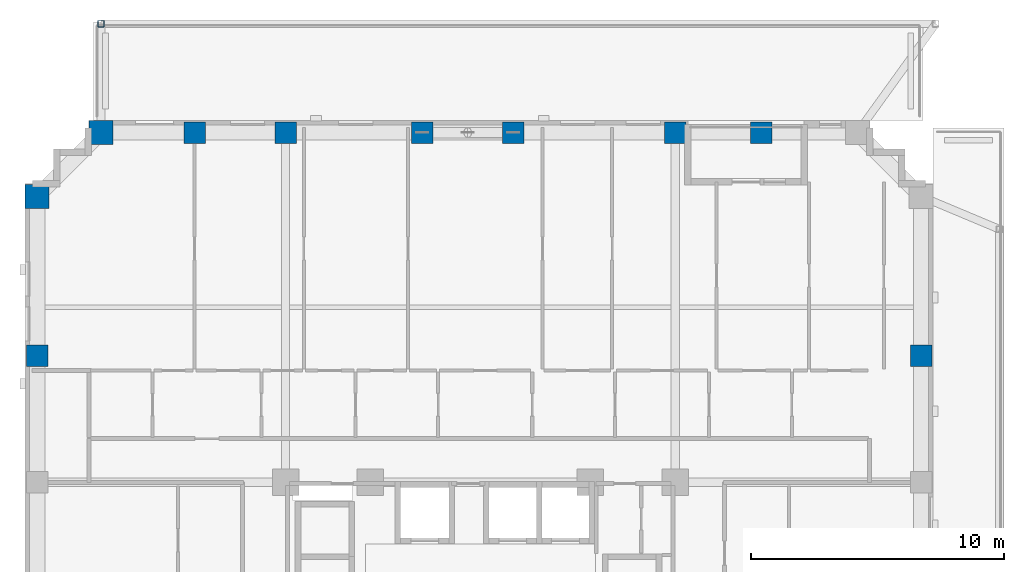
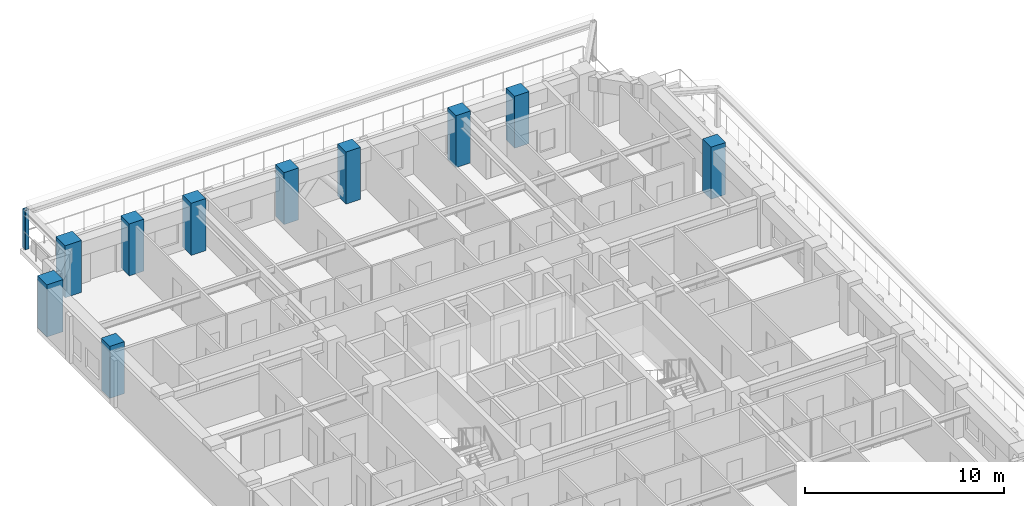
# One storey, part 3 of 16: 11 columns.
"""IFC4 building model written with IfcOpenShell, lengths in metres."""

from ifc_helpers import new_model, si_unit, derived_unit, direction, frame, origin, origin_2d, place, context, subcontext, project, spatial, rectangle, hollow_rectangle, extrude, material, material_profile, profile_set, type_object, element, save


model = new_model("IFC4")

# Units and contexts
model_context = context("Model", 3, precision=1e-05, world=origin(), true_north=direction((0.0, 1.0)))
body_context = subcontext(model_context, "Body", "Model", "MODEL_VIEW")
ifc_project = project(units=[si_unit("LENGTHUNIT", "METRE"), si_unit("AREAUNIT", "SQUARE_METRE"), si_unit("VOLUMEUNIT", "CUBIC_METRE"), si_unit("PLANEANGLEUNIT", "RADIAN"), si_unit("MASSUNIT", "GRAM", prefix="KILO"), derived_unit("THERMALTRANSMITTANCEUNIT", [(si_unit("MASSUNIT", "GRAM", prefix="KILO"), 1), (si_unit("TIMEUNIT", "SECOND"), -3), (si_unit("THERMODYNAMICTEMPERATUREUNIT", "KELVIN"), -1)])], contexts=[model_context])

# Site, building, storey
site_placement = place(None, origin())
site = spatial("IfcSite", under=ifc_project, at=site_placement, CompositionType="ELEMENT")
building_placement = place(site_placement, origin())
building = spatial("IfcBuilding", under=site, at=building_placement, Name="Korrvale Station Residences", CompositionType="ELEMENT")
storey_placement = place(building_placement, frame((0.0, 0.0, 75.10009765625)))
storey = spatial("IfcBuildingStorey", under=building, at=storey_placement, Name="L20", CompositionType="ELEMENT", Elevation=75.10009765625)

# Columns
ifc_material_1 = material(Name="Steel S355", Category="steel")
ifc_material_profile_1 = material_profile(ifc_material_1, hollow_rectangle(XDim=0.25390625, YDim=0.25390625, WallThickness=0.0126953125, InnerFilletRadius=0.0126953125, OuterFilletRadius=0.025390625, at=origin_2d()), Name="HSS254x254x13")
ifc_profile_set_1 = profile_set([ifc_material_profile_1], Name="Steel S355")
column_type_1 = type_object("IfcColumnType", Name="COL-C-HSS254x254x13-S355", PredefinedType="COLUMN", material=ifc_profile_set_1)
column_placement = place(storey_placement, frame((10.5, 47.1201171875, 0.0), z_axis=(0.0, 0.0, 1.0), x_axis=(1.0, 0.0, 0.0)))
element("IfcColumn", 1, at=column_placement, inside=storey, type_object=column_type_1, Name="L20 Setback Canopy Frame Post 1", PredefinedType="COLUMN", context=body_context, shape_type="SweptSolid", body=[
    extrude(hollow_rectangle(XDim=0.25390625, YDim=0.25390625, WallThickness=0.0126953125, InnerFilletRadius=0.0126953125, OuterFilletRadius=0.025390625, at=origin_2d()), origin(), (0.0, 0.0, 1.0), 2.39990234375),
])
ifc_material_2 = material(Name="Concrete C60/75", Category="concrete")
ifc_material_profile_2 = material_profile(ifc_material_2, rectangle(XDim=0.85009765625, YDim=0.85009765625, at=origin_2d()), Name="RC850x850")
ifc_profile_set_2 = profile_set([ifc_material_profile_2], Name="Concrete C60/75")
column_type_2 = type_object("IfcColumnType", Name="COL-C-RC850x850-C6075", PredefinedType="COLUMN", material=ifc_profile_set_2)
for number, where, z_axis, x_axis, name in (
    (2, (14.199951171875, 42.820068359375, 0.0), (0.0, 0.0, 1.0), (1.0, 0.0, 0.0), "L20 Bundled-Tube North Column 10"),
    (3, (17.800048828125, 42.820068359375, 0.0), (0.0, 0.0, 1.0), (1.0, 0.0, 0.0), "L20 Bundled-Tube North Column 11"),
    (4, (23.199951171875, 42.820068359375, 0.0), (0.0, 0.0, 1.0), (1.0, 0.0, 0.0), "L20 Bundled-Tube North Column 12"),
    (5, (26.800048828125, 42.820068359375, 0.0), (0.0, 0.0, 1.0), (1.0, 0.0, 0.0), "L20 Bundled-Tube North Column 13"),
    (6, (33.199951171875, 42.820068359375, 0.0), (0.0, 0.0, 1.0), (1.0, 0.0, 0.0), "L20 Bundled-Tube North Column 14"),
    (7, (36.60009765625, 42.820068359375, 0.0), (0.0, 0.0, 1.0), (1.0, 0.0, 0.0), "L20 Bundled-Tube North Column 15"),
    (8, (7.97998046875, 34.0, 0.0), (0.0, 0.0, 1.0), (1.0, 0.0, 0.0), "L20 Bundled-Tube West Column 23"),
    (9, (42.919921875, 34.0, 0.0), (0.0, 0.0, 1.0), (1.0, 0.0, 0.0), "L20 Bundled-Tube East Column 31"),
):
    element("IfcColumn", number, at=place(storey_placement, frame(where, z_axis=z_axis, x_axis=x_axis)), inside=storey, type_object=column_type_2, Name=name, PredefinedType="COLUMN", context=body_context, shape_type="SweptSolid", body=[
        extrude(rectangle(XDim=0.85009765625, YDim=0.85009765625, at=origin_2d()), origin(), (0.0, 0.0, 1.0), 3.199951171875),
    ])
ifc_material_profile_3 = material_profile(ifc_material_2, rectangle(XDim=0.949951171875, YDim=0.949951171875, at=origin_2d()), Name="RC950x950")
ifc_profile_set_3 = profile_set([ifc_material_profile_3], Name="Concrete C60/75")
column_type_3 = type_object("IfcColumnType", Name="COL-C-RC950x950-C6075", PredefinedType="COLUMN", material=ifc_profile_set_3)
for number, where, z_axis, x_axis, name in (
    (10, (10.5, 42.820068359375, 0.0), (0.0, 0.0, 1.0), (1.0, 0.0, 0.0), "L20 Bundled-Tube North Column 09"),
    (11, (7.97998046875, 40.300048828125, 0.0), (0.0, 0.0, 1.0), (1.0, 0.0, 0.0), "L20 Bundled-Tube West Column 24"),
):
    element("IfcColumn", number, at=place(storey_placement, frame(where, z_axis=z_axis, x_axis=x_axis)), inside=storey, type_object=column_type_3, Name=name, PredefinedType="COLUMN", context=body_context, shape_type="SweptSolid", body=[
        extrude(rectangle(XDim=0.949951171875, YDim=0.949951171875, at=origin_2d()), origin(), (0.0, 0.0, 1.0), 3.199951171875),
    ])

save(model, "model.ifc")
